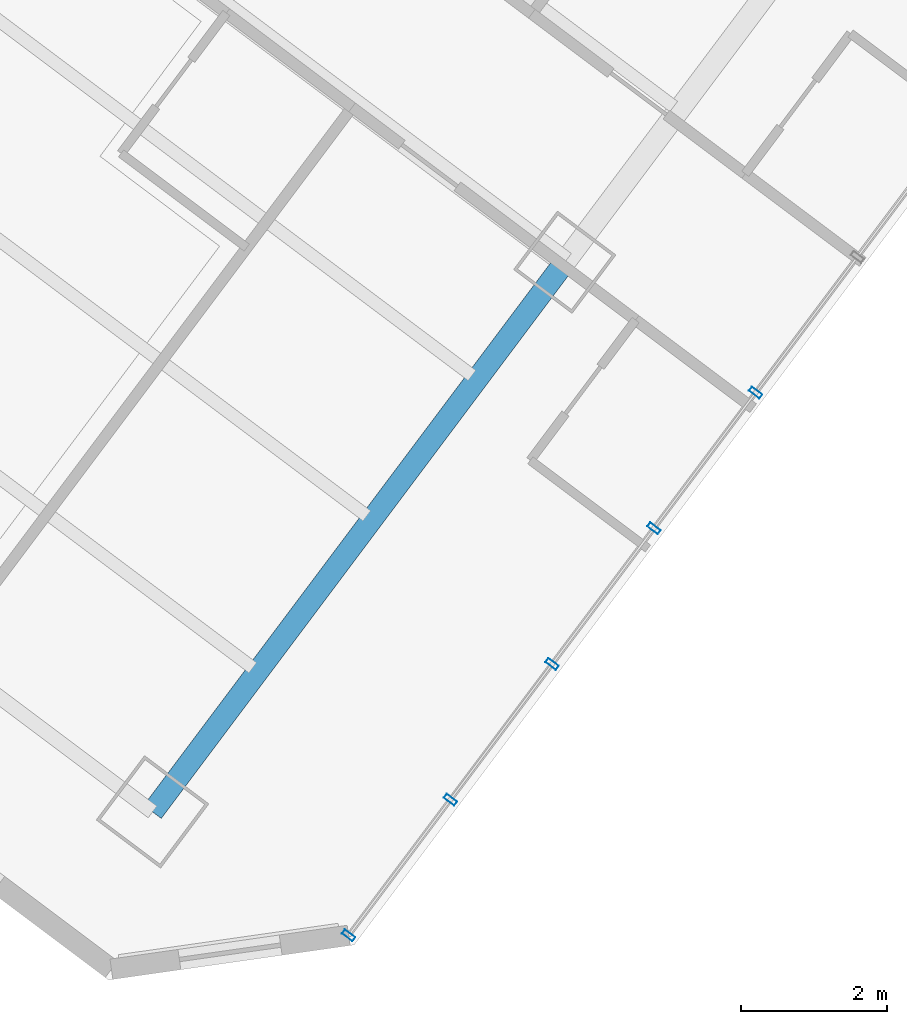
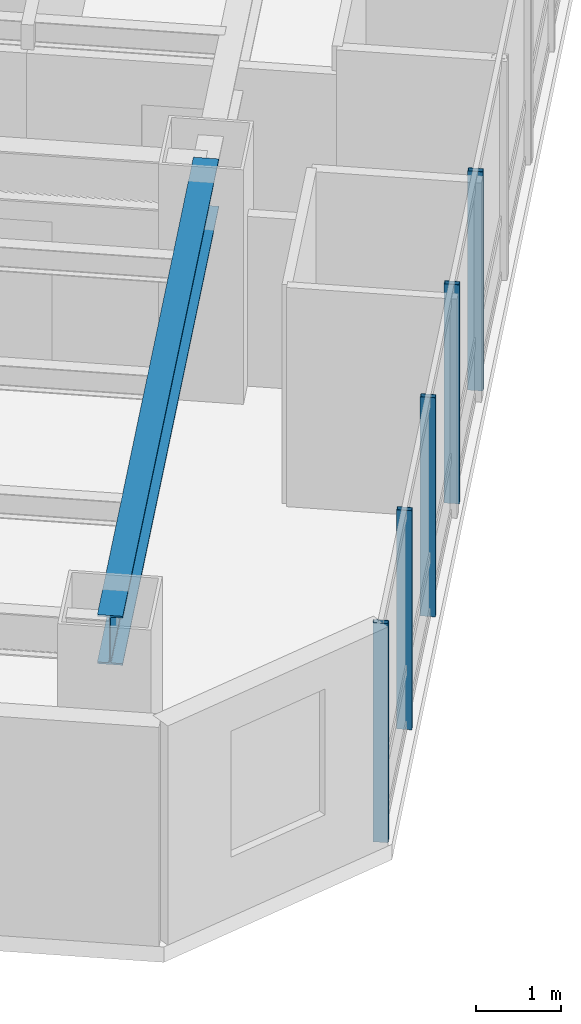
# One storey, part 8 of 32: 5 members, 1 beam, 1 element without a shape of its own.
"""IFC4 building model written with IfcOpenShell, lengths in metres."""

from ifc_helpers import new_model, si_unit, direction, frame, origin, origin_2d, place, context, subcontext, project, spatial, hollow_rectangle, i_section, extrude, material, layer, layer_set, material_profile, profile_set, type_object, element, aggregate, save


model = new_model("IFC4")

# Units and contexts
model_context = context("Model", 3, precision=1e-05, world=origin(), true_north=direction((0.0, 1.0)))
body_context = subcontext(model_context, "Body", "Model", "MODEL_VIEW")
ifc_project = project(units=[si_unit("LENGTHUNIT", "METRE"), si_unit("AREAUNIT", "SQUARE_METRE"), si_unit("VOLUMEUNIT", "CUBIC_METRE"), si_unit("PLANEANGLEUNIT", "RADIAN"), si_unit("MASSUNIT", "GRAM", prefix="KILO")], contexts=[model_context])

# Site, building, storey
site_placement = place(None, origin())
site = spatial("IfcSite", under=ifc_project, at=site_placement, CompositionType="ELEMENT")
building_placement = place(site_placement, origin())
building = spatial("IfcBuilding", under=site, at=building_placement, Name="Hatsunagi Terrace Concourse", CompositionType="ELEMENT")
storey_placement = place(building_placement, frame((0.0, 0.0, 46.64990234375)))
storey = spatial("IfcBuildingStorey", under=building, at=storey_placement, Name="L11", CompositionType="ELEMENT", Elevation=46.64990234375)

# Curtain wall, members
ifc_material_1 = material(Name="Anodised Aluminium Alloy 6063-T5", Category="aluminium")
ifc_layer = layer(ifc_material_1, 0.199951171875)
ifc_layer_set = layer_set([ifc_layer], Name="HotelFacade_CW02")
curtain_wall_type = type_object("IfcCurtainWallType", Name="HotelFacade_CW02", PredefinedType="NOTDEFINED", material=ifc_layer_set)
curtain_wall_placement = place(storey_placement, origin())
curtain_wall = element("IfcCurtainWall", 1, at=curtain_wall_placement, inside=storey, type_object=curtain_wall_type, Name="Unitised Curtain Wall CW-02 CW-L11-03", PredefinedType="NOTDEFINED")
ifc_material_2 = material(Name="Anodised Aluminium Alloy 6063-T5", Category="aluminium")
ifc_material_profile_1 = material_profile(ifc_material_2, hollow_rectangle(XDim=0.070068359375, YDim=0.179931640625, WallThickness=0.00390625, at=origin_2d()), Name="ALU-MUL-180x70x4")
ifc_profile_set_1 = profile_set([ifc_material_profile_1], Name="Anodised Aluminium Alloy 6063-T5")
member_type = type_object("IfcMemberType", Name="CurtainWallMullion_180x70", PredefinedType="MULLION", material=ifc_profile_set_1)
member_1_placement = place(storey_placement, frame((62.132080078125, 10.3759765625, 0.0), z_axis=(0.0, 0.0, 1.0), x_axis=(-0.599969314634, -0.800023013105, 0.0)))
member_1 = element("IfcMember", 2, at=member_1_placement, type_object=member_type, Name="Curtain Wall Mullion MUL-02", PredefinedType="MULLION", context=body_context, shape_type="SweptSolid", body=[
    extrude(hollow_rectangle(XDim=0.070068359375, YDim=0.179931640625, WallThickness=0.00390625, at=origin_2d()), origin(), (0.0, 0.0, 1.0), 3.130126953125),
])
member_2_placement = place(storey_placement, frame((60.739990234375, 8.51904296875, 0.0), z_axis=(0.0, 0.0, 1.0), x_axis=(-0.599969314634, -0.800023013105, 0.0)))
member_2 = element("IfcMember", 3, at=member_2_placement, type_object=member_type, Name="Curtain Wall Mullion MUL-02", PredefinedType="MULLION", context=body_context, shape_type="SweptSolid", body=[
    extrude(hollow_rectangle(XDim=0.070068359375, YDim=0.179931640625, WallThickness=0.00390625, at=origin_2d()), origin(), (0.0, 0.0, 1.0), 3.130126953125),
])
member_3_placement = place(storey_placement, frame((59.346923828125, 6.6630859375, 0.0), z_axis=(0.0, 0.0, 1.0), x_axis=(-0.599969314634, -0.800023013105, 0.0)))
member_3 = element("IfcMember", 4, at=member_3_placement, type_object=member_type, Name="Curtain Wall Mullion MUL-02", PredefinedType="MULLION", context=body_context, shape_type="SweptSolid", body=[
    extrude(hollow_rectangle(XDim=0.070068359375, YDim=0.179931640625, WallThickness=0.00390625, at=origin_2d()), origin(), (0.0, 0.0, 1.0), 3.130126953125),
])
member_4_placement = place(storey_placement, frame((57.955078125, 4.805908203125, 0.0), z_axis=(0.0, 0.0, 1.0), x_axis=(-0.599969314634, -0.800023013105, 0.0)))
member_4 = element("IfcMember", 5, at=member_4_placement, type_object=member_type, Name="Curtain Wall Mullion MUL-02", PredefinedType="MULLION", context=body_context, shape_type="SweptSolid", body=[
    extrude(hollow_rectangle(XDim=0.070068359375, YDim=0.179931640625, WallThickness=0.00390625, at=origin_2d()), origin(), (0.0, 0.0, 1.0), 3.130126953125),
])
member_5_placement = place(storey_placement, frame((56.56298828125, 2.949951171875, 0.0), z_axis=(0.0, 0.0, 1.0), x_axis=(-0.599969314634, -0.800023013105, 0.0)))
member_5 = element("IfcMember", 6, at=member_5_placement, type_object=member_type, Name="Curtain Wall Mullion MUL-02", PredefinedType="MULLION", context=body_context, shape_type="SweptSolid", body=[
    extrude(hollow_rectangle(XDim=0.070068359375, YDim=0.179931640625, WallThickness=0.00390625, at=origin_2d()), origin(), (0.0, 0.0, 1.0), 3.130126953125),
])
aggregate(curtain_wall, [member_1, member_2, member_3, member_4, member_5])

# Beam
ifc_material_3 = material(Name="Steel SN490B", Category="steel")
ifc_material_profile_2 = material_profile(ifc_material_3, i_section(OverallWidth=0.300048828125, OverallDepth=0.699951171875, WebThickness=0.012939453125, FlangeThickness=0.02392578125, FilletRadius=0.02197265625, at=origin_2d()), Name="H-700x300x13x24")
ifc_profile_set_2 = profile_set([ifc_material_profile_2], Name="Steel SN490B")
beam_type = type_object("IfcBeamType", Name="HotelFloorGirder_H_700x300", PredefinedType="BEAM", material=ifc_profile_set_2)
beam_placement = place(storey_placement, frame((53.8798828125, 4.639892578125, 2.780029296875), z_axis=(0.600008311051, 0.799993766644, 0.0), x_axis=(-0.799993766644, 0.600008311051, 0.0)))
element("IfcBeam", 7, at=beam_placement, inside=storey, type_object=beam_type, Name="Beam G-04 BM-L11-SET-3A", PredefinedType="BEAM", context=body_context, shape_type="SweptSolid", body=[
    extrude(i_section(OverallWidth=0.300048828125, OverallDepth=0.699951171875, WebThickness=0.012939453125, FlangeThickness=0.02392578125, FilletRadius=0.02197265625, at=origin_2d()), origin(), (0.0, 0.0, 1.0), 9.400146484375),
])

save(model, "model.ifc")
